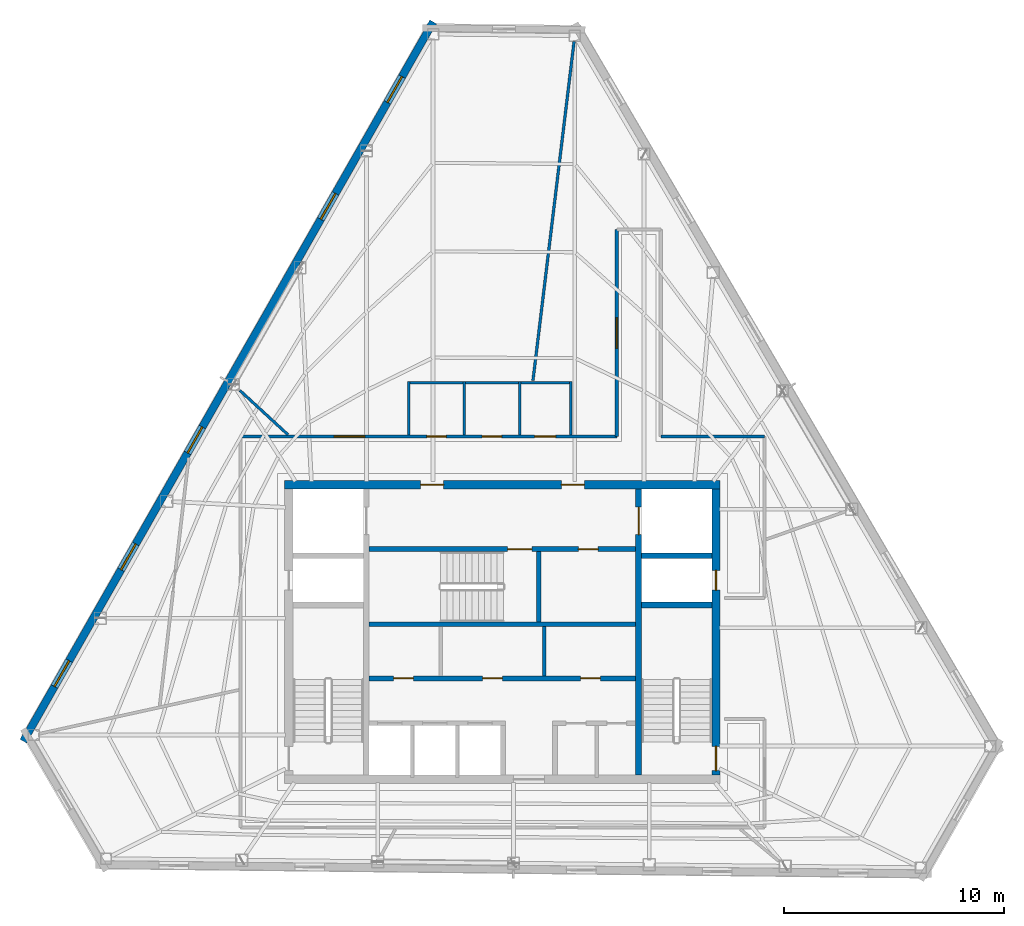
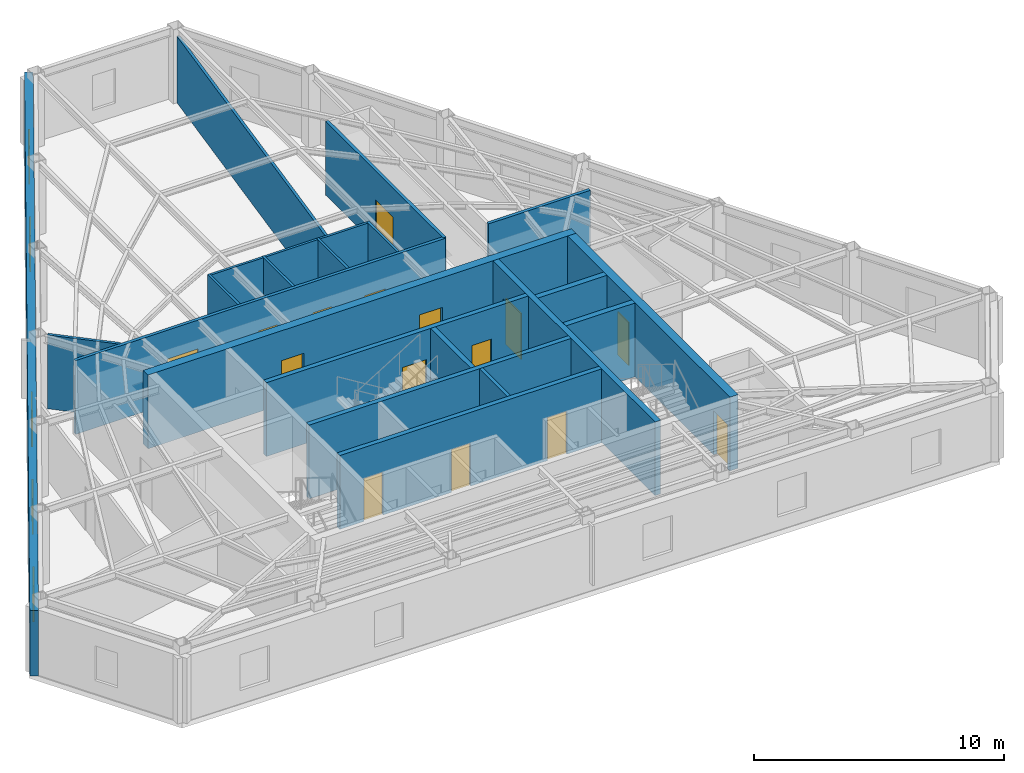
# One storey, part 8 of 10: 21 walls, 15 doors, 5 windows, 20 openings.
"""IFC4 building model written with IfcOpenShell, lengths in metres."""

from ifc_helpers import new_model, si_unit, direction, frame, frame_2d, origin, place, context, subcontext, project, spatial, rectangle, extrude, material, layer, layer_set, type_object, element, fill, save


model = new_model("IFC4")

# Units and contexts
model_context = context("Model", 3, precision=1e-05, world=origin(), true_north=direction((0.0, 1.0)))
body_context = subcontext(model_context, "Body", "Model", "MODEL_VIEW")
ifc_project = project(units=[si_unit("LENGTHUNIT", "METRE"), si_unit("AREAUNIT", "SQUARE_METRE"), si_unit("VOLUMEUNIT", "CUBIC_METRE"), si_unit("PLANEANGLEUNIT", "RADIAN"), si_unit("MASSUNIT", "GRAM", prefix="KILO")], contexts=[model_context])

# Site, building, storey
site_placement = place(None, origin())
site = spatial("IfcSite", under=ifc_project, at=site_placement, CompositionType="ELEMENT")
building_placement = place(site_placement, origin())
building = spatial("IfcBuilding", under=site, at=building_placement, Name="Kavelnor Concourse Tower", CompositionType="ELEMENT")
storey_placement = place(building_placement, frame((0.0, 0.0, 254.89990234375)))
storey = spatial("IfcBuildingStorey", under=building, at=storey_placement, Name="L64", CompositionType="ELEMENT", Elevation=254.89990234375)

# Wall, openings, doors
ifc_material_1 = material(Name="Concrete C50/60", Category="concrete")
ifc_layer_1 = layer(ifc_material_1, 0.3798828125, Name="Concrete C50/60")
ifc_layer_set_1 = layer_set([ifc_layer_1], Name="Concrete C50/60")
wall_type_1 = type_object("IfcWallType", Name="WL-CORE-Z4-380", PredefinedType="SOLIDWALL", material=ifc_layer_set_1)
wall_1_placement = place(storey_placement, frame((28.10009765625, 22.7900390625, 0.0), z_axis=(0.0, 0.0, 1.0), x_axis=(1.0, 0.0, 0.0)))
wall_1 = element("IfcWall", 1, at=wall_1_placement, inside=storey, type_object=wall_type_1, Name="L64 Central Core North Shear Wall", PredefinedType="SOLIDWALL", context=body_context, shape_type="SweptSolid", body=[
    extrude(rectangle(XDim=19.7998046875, YDim=0.3798828125, at=frame_2d((9.89990234375, 0.0))), origin(), (0.0, 0.0, 1.0), 3.610107421875),
])
opening_1_placement = place(wall_1_placement, frame((6.175048828125, 0.0, 0.0)))
opening_1 = element("IfcOpeningElement", 2, at=opening_1_placement, cuts=wall_1, Name="Opening FD-105", PredefinedType="OPENING", context=body_context, shape_type="SweptSolid", body=[
    extrude(rectangle(XDim=1.050048828125, YDim=2.14990234375, at=frame_2d((0.52490234375, 1.074951171875))), frame((0.0, 0.199951171875, 0.0), z_axis=(0.0, -1.0, 0.0), x_axis=(1.0, 0.0, 0.0)), (0.0, 0.0, 1.0), 0.39990234375),
])
opening_2_placement = place(wall_1_placement, frame((12.574951171875, 0.0, 0.0)))
opening_2 = element("IfcOpeningElement", 3, at=opening_2_placement, cuts=wall_1, Name="Opening FD-105", PredefinedType="OPENING", context=body_context, shape_type="SweptSolid", body=[
    extrude(rectangle(XDim=1.050048828125, YDim=2.14990234375, at=frame_2d((0.52490234375, 1.074951171875))), frame((0.0, 0.199951171875, 0.0), z_axis=(0.0, -1.0, 0.0), x_axis=(1.0, 0.0, 0.0)), (0.0, 0.0, 1.0), 0.39990234375),
])
ifc_material_2 = material(Name="Steel Grade 350", Category="steel")
door_type_1 = type_object("IfcDoorType", Name="DR-LOBBY-FIRE-1050", OperationType="NOTDEFINED", PredefinedType="DOOR", material=ifc_material_2)
door_1_placement = place(opening_1_placement, origin())
door_1 = element("IfcDoor", 4, at=door_1_placement, inside=storey, type_object=door_type_1, Name="L64 Emergency Lift Lobby West Door", OperationType="SINGLE_SWING_LEFT", OverallHeight=2.14990234375, OverallWidth=1.050048828125, PredefinedType="DOOR", context=body_context, shape_type="SweptSolid", body=[
    extrude(rectangle(XDim=1.050048828125, YDim=2.14990234375, at=frame_2d((0.52490234375, 1.074951171875))), frame((0.0, 0.02490234375, 0.0), z_axis=(0.0, -1.0, 0.0), x_axis=(1.0, 0.0, 0.0)), (0.0, 0.0, 1.0), 0.050048828125),
])
fill(opening_1, door_1)
door_2_placement = place(opening_2_placement, origin())
door_2 = element("IfcDoor", 5, at=door_2_placement, inside=storey, type_object=door_type_1, Name="L64 Emergency Lift Lobby East Door", OperationType="SINGLE_SWING_RIGHT", OverallHeight=2.14990234375, OverallWidth=1.050048828125, PredefinedType="DOOR", context=body_context, shape_type="SweptSolid", body=[
    extrude(rectangle(XDim=1.050048828125, YDim=2.14990234375, at=frame_2d((0.52490234375, 1.074951171875))), frame((0.0, 0.02490234375, 0.0), z_axis=(0.0, -1.0, 0.0), x_axis=(1.0, 0.0, 0.0)), (0.0, 0.0, 1.0), 0.050048828125),
])
fill(opening_2, door_2)

wall_2_placement = place(storey_placement, frame((47.7099609375, 9.60009765625, 0.0), z_axis=(0.0, 0.0, 1.0), x_axis=(0.0, 1.0, 0.0)))
wall_2 = element("IfcWall", 6, at=wall_2_placement, inside=storey, type_object=wall_type_1, Name="L64 Central Core East Shear Wall", PredefinedType="SOLIDWALL", context=body_context, shape_type="SweptSolid", body=[
    extrude(rectangle(XDim=13.0, YDim=0.3798828125, at=frame_2d((6.5, 0.0))), origin(), (0.0, 0.0, 1.0), 3.610107421875),
])
opening_3_placement = place(wall_2_placement, frame((0.199951171875, 0.0, 0.0)))
opening_3 = element("IfcOpeningElement", 7, at=opening_3_placement, cuts=wall_2, Name="Opening FD-110", PredefinedType="OPENING", context=body_context, shape_type="SweptSolid", body=[
    extrude(rectangle(XDim=1.10009765625, YDim=2.14990234375, at=frame_2d((0.550048828125, 1.074951171875))), frame((0.0, 0.199951171875, 0.0), z_axis=(0.0, -1.0, 0.0), x_axis=(1.0, 0.0, 0.0)), (0.0, 0.0, 1.0), 0.39990234375),
])
opening_4_placement = place(wall_2_placement, frame((8.39990234375, 0.0, 0.0)))
opening_4 = element("IfcOpeningElement", 8, at=opening_4_placement, cuts=wall_2, Name="Opening FD-090", PredefinedType="OPENING", context=body_context, shape_type="SweptSolid", body=[
    extrude(rectangle(XDim=0.89990234375, YDim=2.10009765625, at=frame_2d((0.449951171875, 1.050048828125))), frame((0.0, 0.199951171875, 0.0), z_axis=(0.0, -1.0, 0.0), x_axis=(1.0, 0.0, 0.0)), (0.0, 0.0, 1.0), 0.39990234375),
])
door_type_2 = type_object("IfcDoorType", Name="DR-RISER-FIRE-900", OperationType="NOTDEFINED", PredefinedType="DOOR", material=ifc_material_2)
door_3_placement = place(opening_4_placement, origin())
door_3 = element("IfcDoor", 9, at=door_3_placement, inside=storey, type_object=door_type_2, Name="L64 East Riser Access Door", OperationType="SINGLE_SWING_LEFT", OverallHeight=2.10009765625, OverallWidth=0.89990234375, PredefinedType="DOOR", context=body_context, shape_type="SweptSolid", body=[
    extrude(rectangle(XDim=0.89990234375, YDim=2.10009765625, at=frame_2d((0.449951171875, 1.050048828125))), frame((0.0, 0.02490234375, 0.0), z_axis=(0.0, -1.0, 0.0), x_axis=(1.0, 0.0, 0.0)), (0.0, 0.0, 1.0), 0.050048828125),
])
fill(opening_4, door_3)
door_type_3 = type_object("IfcDoorType", Name="DR-STAIR-FIRE-1100", OperationType="NOTDEFINED", PredefinedType="DOOR", material=ifc_material_2)
door_4_placement = place(opening_3_placement, origin())
door_4 = element("IfcDoor", 10, at=door_4_placement, inside=storey, type_object=door_type_3, Name="L64 Stair ST2 Fire Door", OperationType="SINGLE_SWING_RIGHT", OverallHeight=2.14990234375, OverallWidth=1.10009765625, PredefinedType="DOOR", context=body_context, shape_type="SweptSolid", body=[
    extrude(rectangle(XDim=1.10009765625, YDim=2.14990234375, at=frame_2d((0.550048828125, 1.074951171875))), frame((0.0, 0.02490234375, 0.0), z_axis=(0.0, -1.0, 0.0), x_axis=(1.0, 0.0, 0.0)), (0.0, 0.0, 1.0), 0.050048828125),
])
fill(opening_3, door_4)

# Wall, openings, windows
ifc_material_3 = material(Name="Red-ochre clay face brick masonry", Category="masonry")
ifc_layer_2 = layer(ifc_material_3, 0.35009765625, Name="Red-ochre clay face brick masonry")
ifc_layer_set_2 = layer_set([ifc_layer_2], Name="Red-ochre clay face brick masonry")
wall_type_2 = type_object("IfcWallType", Name="WL-EXT-RED-BRICK-PIER-350", PredefinedType="STANDARD", material=ifc_layer_set_2)
wall_3_placement = place(storey_placement, frame((16.214111328125, 11.135498046875, 0.0), z_axis=(0.0, 0.0, 1.0), x_axis=(0.49510347201, 0.868834018673, 0.0)))
wall_3 = element("IfcWall", 11, at=wall_3_placement, inside=storey, type_object=wall_type_2, Name="L64 Exterior Brick Facade Wall E1", PredefinedType="STANDARD", context=body_context, shape_type="SweptSolid", body=[
    extrude(rectangle(XDim=37.64306640625, YDim=0.35009765625, at=frame_2d((18.821533203125, 0.0))), origin(), (0.0, 0.0, 1.0), 3.196044921875),
])
opening_5_placement = place(wall_3_placement, frame((33.4287109375, 0.0, 0.64990234375)))
opening_5 = element("IfcOpeningElement", 12, at=opening_5_placement, cuts=wall_3, Name="Opening W-04", PredefinedType="OPENING", context=body_context, shape_type="SweptSolid", body=[
    extrude(rectangle(XDim=1.35009765625, YDim=1.75, at=frame_2d((0.675048828125, 0.875))), frame((0.0, 0.18505859375, 0.0), z_axis=(0.0, -1.0, 0.0), x_axis=(1.0, 0.0, 0.0)), (0.0, 0.0, 1.0), 0.3701171875),
])
opening_6_placement = place(wall_3_placement, frame((27.314697265625, 0.0, 0.64990234375)))
opening_6 = element("IfcOpeningElement", 13, at=opening_6_placement, cuts=wall_3, Name="Opening W-04", PredefinedType="OPENING", context=body_context, shape_type="SweptSolid", body=[
    extrude(rectangle(XDim=1.35009765625, YDim=1.75, at=frame_2d((0.675048828125, 0.875))), frame((0.0, 0.18505859375, 0.0), z_axis=(0.0, -1.0, 0.0), x_axis=(1.0, 0.0, 0.0)), (0.0, 0.0, 1.0), 0.3701171875),
])
opening_7_placement = place(wall_3_placement, frame((15.0869140625, 0.0, 0.64990234375)))
opening_7 = element("IfcOpeningElement", 14, at=opening_7_placement, cuts=wall_3, Name="Opening W-04", PredefinedType="OPENING", context=body_context, shape_type="SweptSolid", body=[
    extrude(rectangle(XDim=1.35009765625, YDim=1.75, at=frame_2d((0.675048828125, 0.875))), frame((0.0, 0.18505859375, 0.0), z_axis=(0.0, -1.0, 0.0), x_axis=(1.0, 0.0, 0.0)), (0.0, 0.0, 1.0), 0.3701171875),
])
opening_8_placement = place(wall_3_placement, frame((8.972900390625, 0.0, 0.64990234375)))
opening_8 = element("IfcOpeningElement", 15, at=opening_8_placement, cuts=wall_3, Name="Opening W-04", PredefinedType="OPENING", context=body_context, shape_type="SweptSolid", body=[
    extrude(rectangle(XDim=1.35009765625, YDim=1.75, at=frame_2d((0.675048828125, 0.875))), frame((0.0, 0.18505859375, 0.0), z_axis=(0.0, -1.0, 0.0), x_axis=(1.0, 0.0, 0.0)), (0.0, 0.0, 1.0), 0.3701171875),
])
opening_9_placement = place(wall_3_placement, frame((2.85888671875, 0.0, 0.64990234375)))
opening_9 = element("IfcOpeningElement", 16, at=opening_9_placement, cuts=wall_3, Name="Opening W-04", PredefinedType="OPENING", context=body_context, shape_type="SweptSolid", body=[
    extrude(rectangle(XDim=1.35009765625, YDim=1.75, at=frame_2d((0.675048828125, 0.875))), frame((0.0, 0.18505859375, 0.0), z_axis=(0.0, -1.0, 0.0), x_axis=(1.0, 0.0, 0.0)), (0.0, 0.0, 1.0), 0.3701171875),
])
ifc_material_4 = material(Name="Double low-E argon insulated glazing", Category="glass")
window_type = type_object("IfcWindowType", Name="WIN-PIER-Z4-1350", PartitioningType="SINGLE_PANEL", PredefinedType="WINDOW", material=ifc_material_4)
window_1_placement = place(opening_5_placement, origin())
window_1 = element("IfcWindow", 17, at=window_1_placement, inside=storey, type_object=window_type, Name="L64 Deep-Set Brick Pier Window F0-B0", OverallHeight=1.75, OverallWidth=1.35009765625, PartitioningType="SINGLE_PANEL", PredefinedType="WINDOW", context=body_context, shape_type="SweptSolid", body=[
    extrude(rectangle(XDim=1.35009765625, YDim=1.75, at=frame_2d((0.675048828125, 0.875))), frame((0.0, 0.030029296875, 0.0), z_axis=(0.0, -1.0, 0.0), x_axis=(1.0, 0.0, 0.0)), (0.0, 0.0, 1.0), 0.06005859375),
])
fill(opening_5, window_1)
window_2_placement = place(opening_6_placement, origin())
window_2 = element("IfcWindow", 18, at=window_2_placement, inside=storey, type_object=window_type, Name="L64 Deep-Set Brick Pier Window F0-B1", OverallHeight=1.75, OverallWidth=1.35009765625, PartitioningType="SINGLE_PANEL", PredefinedType="WINDOW", context=body_context, shape_type="SweptSolid", body=[
    extrude(rectangle(XDim=1.35009765625, YDim=1.75, at=frame_2d((0.675048828125, 0.875))), frame((0.0, 0.030029296875, 0.0), z_axis=(0.0, -1.0, 0.0), x_axis=(1.0, 0.0, 0.0)), (0.0, 0.0, 1.0), 0.06005859375),
])
fill(opening_6, window_2)
window_3_placement = place(opening_7_placement, origin())
window_3 = element("IfcWindow", 19, at=window_3_placement, inside=storey, type_object=window_type, Name="L64 Deep-Set Brick Pier Window F0-B3", OverallHeight=1.75, OverallWidth=1.35009765625, PartitioningType="SINGLE_PANEL", PredefinedType="WINDOW", context=body_context, shape_type="SweptSolid", body=[
    extrude(rectangle(XDim=1.35009765625, YDim=1.75, at=frame_2d((0.675048828125, 0.875))), frame((0.0, 0.030029296875, 0.0), z_axis=(0.0, -1.0, 0.0), x_axis=(1.0, 0.0, 0.0)), (0.0, 0.0, 1.0), 0.06005859375),
])
fill(opening_7, window_3)
window_4_placement = place(opening_8_placement, origin())
window_4 = element("IfcWindow", 20, at=window_4_placement, inside=storey, type_object=window_type, Name="L64 Deep-Set Brick Pier Window F0-B4", OverallHeight=1.75, OverallWidth=1.35009765625, PartitioningType="SINGLE_PANEL", PredefinedType="WINDOW", context=body_context, shape_type="SweptSolid", body=[
    extrude(rectangle(XDim=1.35009765625, YDim=1.75, at=frame_2d((0.675048828125, 0.875))), frame((0.0, 0.030029296875, 0.0), z_axis=(0.0, -1.0, 0.0), x_axis=(1.0, 0.0, 0.0)), (0.0, 0.0, 1.0), 0.06005859375),
])
fill(opening_8, window_4)
window_5_placement = place(opening_9_placement, origin())
window_5 = element("IfcWindow", 21, at=window_5_placement, inside=storey, type_object=window_type, Name="L64 Deep-Set Brick Pier Window F0-B5", OverallHeight=1.75, OverallWidth=1.35009765625, PartitioningType="SINGLE_PANEL", PredefinedType="WINDOW", context=body_context, shape_type="SweptSolid", body=[
    extrude(rectangle(XDim=1.35009765625, YDim=1.75, at=frame_2d((0.675048828125, 0.875))), frame((0.0, 0.030029296875, 0.0), z_axis=(0.0, -1.0, 0.0), x_axis=(1.0, 0.0, 0.0)), (0.0, 0.0, 1.0), 0.06005859375),
])
fill(opening_9, window_5)

# Wall, opening, door
ifc_material_5 = material(Name="Gypsum plasterboard on light-gauge steel studs", Category="steel")
ifc_layer_3 = layer(ifc_material_5, 0.14501953125, Name="Gypsum plasterboard on light-gauge steel studs")
ifc_layer_set_3 = layer_set([ifc_layer_3], Name="Gypsum plasterboard on light-gauge steel studs")
wall_type_3 = type_object("IfcWallType", Name="WL-INT-CORR-145", PredefinedType="PARTITIONING", material=ifc_layer_set_3)
wall_4_placement = place(storey_placement, frame((43.199951171875, 24.989990234375, 0.0), z_axis=(0.0, 0.0, 1.0), x_axis=(0.0, 1.0, 0.0)))
wall_4 = element("IfcWall", 22, at=wall_4_placement, inside=storey, type_object=wall_type_3, Name="L64 Corridor Wall WL-L64-CR-01", PredefinedType="PARTITIONING", context=body_context, shape_type="SweptSolid", body=[
    extrude(rectangle(XDim=9.409912109375, YDim=0.14501953125, at=frame_2d((4.705078125, 0.0))), origin(), (0.0, 0.0, 1.0), 3.610107421875),
])
opening_10_placement = place(wall_4_placement, frame((4.0048828125, 0.0, 0.0)))
opening_10 = element("IfcOpeningElement", 23, at=opening_10_placement, cuts=wall_4, Name="Opening SD-140", PredefinedType="OPENING", context=body_context, shape_type="SweptSolid", body=[
    extrude(rectangle(XDim=1.39990234375, YDim=2.199951171875, at=frame_2d((0.699951171875, 1.10009765625))), frame((0.0, 0.08251953125, 0.0), z_axis=(0.0, -1.0, 0.0), x_axis=(1.0, 0.0, 0.0)), (0.0, 0.0, 1.0), 0.1650390625),
])
ifc_material_6 = material(Name="Solid-core hardwood timber", Category="wood")
door_type_4 = type_object("IfcDoorType", Name="DR-SUITE-ENTRY-1400", OperationType="NOTDEFINED", PredefinedType="DOOR", material=ifc_material_6)
door_5_placement = place(opening_10_placement, origin())
door_5 = element("IfcDoor", 24, at=door_5_placement, inside=storey, type_object=door_type_4, Name="L64 Staff Breakout Pantry 01 Door", OperationType="SINGLE_SWING_RIGHT", OverallHeight=2.199951171875, OverallWidth=1.39990234375, PredefinedType="DOOR", context=body_context, shape_type="SweptSolid", body=[
    extrude(rectangle(XDim=1.39990234375, YDim=2.199951171875, at=frame_2d((0.699951171875, 1.10009765625))), frame((0.0, 0.02490234375, 0.0), z_axis=(0.0, -1.0, 0.0), x_axis=(1.0, 0.0, 0.0)), (0.0, 0.0, 1.0), 0.050048828125),
])
fill(opening_10, door_5)

# Wall
wall_5_placement = place(storey_placement, frame((45.199951171875, 24.989990234375, 0.0), z_axis=(0.0, 0.0, 1.0), x_axis=(1.0, 0.0, 0.0)))
element("IfcWall", 25, at=wall_5_placement, inside=storey, type_object=wall_type_3, Name="L64 Corridor Wall WL-L64-CR-04", PredefinedType="PARTITIONING", context=body_context, shape_type="SweptSolid", body=[
    extrude(rectangle(XDim=4.7099609375, YDim=0.14501953125, at=frame_2d((2.35498046875, 0.0))), origin(), (0.0, 0.0, 1.0), 3.610107421875),
])

# Wall, openings, doors
wall_6_placement = place(storey_placement, frame((26.090087890625, 24.989990234375, 0.0), z_axis=(0.0, 0.0, 1.0), x_axis=(1.0, 0.0, 0.0)))
wall_6 = element("IfcWall", 26, at=wall_6_placement, inside=storey, type_object=wall_type_3, Name="L64 Corridor Wall WL-L64-CR-11", PredefinedType="PARTITIONING", context=body_context, shape_type="SweptSolid", body=[
    extrude(rectangle(XDim=17.10986328125, YDim=0.14501953125, at=frame_2d((8.554931640625, 0.0))), origin(), (0.0, 0.0, 1.0), 3.610107421875),
])
opening_11_placement = place(wall_6_placement, frame((8.469970703125, 0.0, 0.0)))
opening_11 = element("IfcOpeningElement", 27, at=opening_11_placement, cuts=wall_6, Name="Opening WD-088", PredefinedType="OPENING", context=body_context, shape_type="SweptSolid", body=[
    extrude(rectangle(XDim=0.8798828125, YDim=2.10009765625, at=frame_2d((0.43994140625, 1.050048828125))), frame((0.0, 0.08251953125, 0.0), z_axis=(0.0, -1.0, 0.0), x_axis=(1.0, 0.0, 0.0)), (0.0, 0.0, 1.0), 0.1650390625),
])
opening_12_placement = place(wall_6_placement, frame((10.989990234375, 0.0, 0.0)))
opening_12 = element("IfcOpeningElement", 28, at=opening_12_placement, cuts=wall_6, Name="Opening WD-088", PredefinedType="OPENING", context=body_context, shape_type="SweptSolid", body=[
    extrude(rectangle(XDim=0.8798828125, YDim=2.10009765625, at=frame_2d((0.43994140625, 1.050048828125))), frame((0.0, 0.08251953125, 0.0), z_axis=(0.0, -1.0, 0.0), x_axis=(1.0, 0.0, 0.0)), (0.0, 0.0, 1.0), 0.1650390625),
])
opening_13_placement = place(wall_6_placement, frame((13.3701171875, 0.0, 0.0)))
opening_13 = element("IfcOpeningElement", 29, at=opening_13_placement, cuts=wall_6, Name="Opening WD-096", PredefinedType="OPENING", context=body_context, shape_type="SweptSolid", body=[
    extrude(rectangle(XDim=0.9599609375, YDim=2.10009765625, at=frame_2d((0.47998046875, 1.050048828125))), frame((0.0, 0.08251953125, 0.0), z_axis=(0.0, -1.0, 0.0), x_axis=(1.0, 0.0, 0.0)), (0.0, 0.0, 1.0), 0.1650390625),
])
opening_14_placement = place(wall_6_placement, frame((4.257080078125, 0.0, 0.0)))
opening_14 = element("IfcOpeningElement", 30, at=opening_14_placement, cuts=wall_6, Name="Opening SD-140", PredefinedType="OPENING", context=body_context, shape_type="SweptSolid", body=[
    extrude(rectangle(XDim=1.39990234375, YDim=2.199951171875, at=frame_2d((0.699951171875, 1.10009765625))), frame((0.0, 0.08251953125, 0.0), z_axis=(0.0, -1.0, 0.0), x_axis=(1.0, 0.0, 0.0)), (0.0, 0.0, 1.0), 0.1650390625),
])
door_6_placement = place(opening_14_placement, origin())
door_6 = element("IfcDoor", 31, at=door_6_placement, inside=storey, type_object=door_type_4, Name="L64 Client Concierge 02 Door", OperationType="SINGLE_SWING_LEFT", OverallHeight=2.199951171875, OverallWidth=1.39990234375, PredefinedType="DOOR", context=body_context, shape_type="SweptSolid", body=[
    extrude(rectangle(XDim=1.39990234375, YDim=2.199951171875, at=frame_2d((0.699951171875, 1.10009765625))), frame((0.0, 0.02490234375, 0.0), z_axis=(0.0, -1.0, 0.0), x_axis=(1.0, 0.0, 0.0)), (0.0, 0.0, 1.0), 0.050048828125),
])
fill(opening_14, door_6)
door_type_5 = type_object("IfcDoorType", Name="DR-WC-ACC-960", OperationType="NOTDEFINED", PredefinedType="DOOR", material=ifc_material_6)
door_7_placement = place(opening_13_placement, origin())
door_7 = element("IfcDoor", 32, at=door_7_placement, inside=storey, type_object=door_type_5, Name="L64 Accessible WC Door", OperationType="SINGLE_SWING_RIGHT", OverallHeight=2.10009765625, OverallWidth=0.9599609375, PredefinedType="DOOR", context=body_context, shape_type="SweptSolid", body=[
    extrude(rectangle(XDim=0.9599609375, YDim=2.10009765625, at=frame_2d((0.47998046875, 1.050048828125))), frame((0.0, 0.02490234375, 0.0), z_axis=(0.0, -1.0, 0.0), x_axis=(1.0, 0.0, 0.0)), (0.0, 0.0, 1.0), 0.050048828125),
])
fill(opening_13, door_7)
door_type_6 = type_object("IfcDoorType", Name="DR-WC-STD-880", OperationType="NOTDEFINED", PredefinedType="DOOR", material=ifc_material_6)
door_8_placement = place(opening_11_placement, origin())
door_8 = element("IfcDoor", 33, at=door_8_placement, inside=storey, type_object=door_type_6, Name="L64 Male WC Door", OperationType="SINGLE_SWING_RIGHT", OverallHeight=2.10009765625, OverallWidth=0.8798828125, PredefinedType="DOOR", context=body_context, shape_type="SweptSolid", body=[
    extrude(rectangle(XDim=0.8798828125, YDim=2.10009765625, at=frame_2d((0.43994140625, 1.050048828125))), frame((0.0, 0.02490234375, 0.0), z_axis=(0.0, -1.0, 0.0), x_axis=(1.0, 0.0, 0.0)), (0.0, 0.0, 1.0), 0.050048828125),
])
fill(opening_11, door_8)
door_9_placement = place(opening_12_placement, origin())
door_9 = element("IfcDoor", 34, at=door_9_placement, inside=storey, type_object=door_type_6, Name="L64 Female WC Door", OperationType="SINGLE_SWING_LEFT", OverallHeight=2.10009765625, OverallWidth=0.8798828125, PredefinedType="DOOR", context=body_context, shape_type="SweptSolid", body=[
    extrude(rectangle(XDim=0.8798828125, YDim=2.10009765625, at=frame_2d((0.43994140625, 1.050048828125))), frame((0.0, 0.02490234375, 0.0), z_axis=(0.0, -1.0, 0.0), x_axis=(1.0, 0.0, 0.0)), (0.0, 0.0, 1.0), 0.050048828125),
])
fill(opening_12, door_9)

# Walls
ifc_layer_4 = layer(ifc_material_5, 0.1650390625, Name="Gypsum plasterboard on light-gauge steel studs")
ifc_layer_set_4 = layer_set([ifc_layer_4], Name="Gypsum plasterboard on light-gauge steel studs")
wall_type_4 = type_object("IfcWallType", Name="WL-INT-FIRE-165", PredefinedType="PARTITIONING", material=ifc_layer_set_4)
wall_7_placement = place(storey_placement, frame((39.89990234375, 14.10009765625, 0.0), z_axis=(0.0, 0.0, 1.0), x_axis=(0.0, 1.0, 0.0)))
element("IfcWall", 35, at=wall_7_placement, inside=storey, type_object=wall_type_4, Name="L64 Reclaimed Core Partition B", PredefinedType="PARTITIONING", context=body_context, shape_type="SweptSolid", body=[
    extrude(rectangle(XDim=2.239990234375, YDim=0.1650390625, at=frame_2d((1.1201171875, 0.0))), origin(), (0.0, 0.0, 1.0), 3.610107421875),
])
ifc_layer_5 = layer(ifc_material_5, 0.125, Name="Gypsum plasterboard on light-gauge steel studs")
ifc_layer_set_5 = layer_set([ifc_layer_5], Name="Gypsum plasterboard on light-gauge steel studs")
wall_type_5 = type_object("IfcWallType", Name="WL-INT-SUITE-125", PredefinedType="PARTITIONING", material=ifc_layer_set_5)
wall_8_placement = place(storey_placement, frame((39.387451171875, 27.5400390625, 0.0), z_axis=(0.0, 0.0, 1.0), x_axis=(0.12041169592, 0.99272404196, 0.0)))
element("IfcWall", 36, at=wall_8_placement, inside=storey, type_object=wall_type_5, Name="L64 Radial Suite Partition 02", PredefinedType="PARTITIONING", context=body_context, shape_type="SweptSolid", body=[
    extrude(rectangle(XDim=15.52099609375, YDim=0.125, at=frame_2d((7.760498046875, 0.0))), origin(), (0.0, 0.0, 1.0), 3.24609375),
])
wall_9_placement = place(storey_placement, frame((28.246826171875, 25.070556640625, 0.0), z_axis=(0.0, 0.0, 1.0), x_axis=(-0.736030630255, 0.67694823386, 0.0)))
element("IfcWall", 37, at=wall_9_placement, inside=storey, type_object=wall_type_5, Name="L64 Radial Suite Partition 03", PredefinedType="PARTITIONING", context=body_context, shape_type="SweptSolid", body=[
    extrude(rectangle(XDim=2.979248046875, YDim=0.125, at=frame_2d((1.48974609375, 0.0))), origin(), (0.0, 0.0, 1.0), 3.610107421875),
])
ifc_layer_6 = layer(ifc_material_5, 0.110107421875, Name="Gypsum plasterboard on light-gauge steel studs")
ifc_layer_set_6 = layer_set([ifc_layer_6], Name="Gypsum plasterboard on light-gauge steel studs")
wall_type_6 = type_object("IfcWallType", Name="WL-INT-WC-110", PredefinedType="PLUMBINGWALL", material=ifc_layer_set_6)
for number, where, z_axis, x_axis, name in (
    (38, (33.739990234375, 25.06005859375, 0.0), (0.0, 0.0, 1.0), (0.0, 1.0, 0.0), "L64 Sanitary Partition WL-L64-WC-W"),
    (39, (36.260009765625, 25.06005859375, 0.0), (0.0, 0.0, 1.0), (0.0, 1.0, 0.0), "L64 Sanitary Partition WL-L64-WC-D1"),
    (40, (38.780029296875, 25.06005859375, 0.0), (0.0, 0.0, 1.0), (0.0, 1.0, 0.0), "L64 Sanitary Partition WL-L64-WC-D2"),
    (41, (41.10009765625, 25.06005859375, 0.0), (0.0, 0.0, 1.0), (0.0, 1.0, 0.0), "L64 Sanitary Partition WL-L64-WC-E"),
):
    element("IfcWall", number, at=place(storey_placement, frame(where, z_axis=z_axis, x_axis=x_axis)), inside=storey, type_object=wall_type_6, Name=name, PredefinedType="PLUMBINGWALL", context=body_context, shape_type="SweptSolid", body=[
        extrude(rectangle(XDim=2.43994140625, YDim=0.110107421875, at=frame_2d((1.219970703125, 0.0))), origin(), (0.0, 0.0, 1.0), 3.610107421875),
    ])
wall_10_placement = place(storey_placement, frame((33.68994140625, 27.43994140625, 0.0), z_axis=(0.0, 0.0, 1.0), x_axis=(1.0, 0.0, 0.0)))
element("IfcWall", 42, at=wall_10_placement, inside=storey, type_object=wall_type_6, Name="L64 Sanitary Partition WL-L64-WC-N", PredefinedType="PLUMBINGWALL", context=body_context, shape_type="SweptSolid", body=[
    extrude(rectangle(XDim=7.4599609375, YDim=0.110107421875, at=frame_2d((3.72998046875, 0.0))), origin(), (0.0, 0.0, 1.0), 3.610107421875),
])

# Wall, openings, doors
ifc_layer_7 = layer(ifc_material_1, 0.219970703125, Name="Concrete C50/60")
ifc_layer_set_7 = layer_set([ifc_layer_7], Name="Concrete C50/60")
wall_type_7 = type_object("IfcWallType", Name="WL-SHAFT-220", PredefinedType="SOLIDWALL", material=ifc_layer_set_7)
wall_11_placement = place(storey_placement, frame((31.93994140625, 19.8701171875, 0.0), z_axis=(0.0, 0.0, 1.0), x_axis=(1.0, 0.0, 0.0)))
wall_11 = element("IfcWall", 43, at=wall_11_placement, inside=storey, type_object=wall_type_7, Name="L64 Emergency Lift Lobby South Wall", PredefinedType="SOLIDWALL", context=body_context, shape_type="SweptSolid", body=[
    extrude(rectangle(XDim=12.1201171875, YDim=0.219970703125, at=frame_2d((6.06005859375, 0.0))), origin(), (0.0, 0.0, 1.0), 3.610107421875),
])
opening_15_placement = place(wall_11_placement, frame((6.300048828125, 0.0, 0.0)))
opening_15 = element("IfcOpeningElement", 44, at=opening_15_placement, cuts=wall_11, Name="Opening FD-110", PredefinedType="OPENING", context=body_context, shape_type="SweptSolid", body=[
    extrude(rectangle(XDim=1.10009765625, YDim=2.14990234375, at=frame_2d((0.550048828125, 1.074951171875))), frame((0.0, 0.1201171875, 0.0), z_axis=(0.0, -1.0, 0.0), x_axis=(1.0, 0.0, 0.0)), (0.0, 0.0, 1.0), 0.239990234375),
])
opening_16_placement = place(wall_11_placement, frame((9.510009765625, 0.0, 0.0)))
opening_16 = element("IfcOpeningElement", 45, at=opening_16_placement, cuts=wall_11, Name="Opening FD-090", PredefinedType="OPENING", context=body_context, shape_type="SweptSolid", body=[
    extrude(rectangle(XDim=0.89990234375, YDim=2.10009765625, at=frame_2d((0.449951171875, 1.050048828125))), frame((0.0, 0.1201171875, 0.0), z_axis=(0.0, -1.0, 0.0), x_axis=(1.0, 0.0, 0.0)), (0.0, 0.0, 1.0), 0.239990234375),
])
door_10_placement = place(opening_16_placement, origin())
door_10 = element("IfcDoor", 46, at=door_10_placement, inside=storey, type_object=door_type_2, Name="L64 Electrical Comms Door", OperationType="SINGLE_SWING_LEFT", OverallHeight=2.10009765625, OverallWidth=0.89990234375, PredefinedType="DOOR", context=body_context, shape_type="SweptSolid", body=[
    extrude(rectangle(XDim=0.89990234375, YDim=2.10009765625, at=frame_2d((0.449951171875, 1.050048828125))), frame((0.0, 0.02490234375, 0.0), z_axis=(0.0, -1.0, 0.0), x_axis=(1.0, 0.0, 0.0)), (0.0, 0.0, 1.0), 0.050048828125),
])
fill(opening_16, door_10)
door_11_placement = place(opening_15_placement, origin())
door_11 = element("IfcDoor", 47, at=door_11_placement, inside=storey, type_object=door_type_3, Name="L64 Stair ST3 Fire Door", OperationType="SINGLE_SWING_LEFT", OverallHeight=2.14990234375, OverallWidth=1.10009765625, PredefinedType="DOOR", context=body_context, shape_type="SweptSolid", body=[
    extrude(rectangle(XDim=1.10009765625, YDim=2.14990234375, at=frame_2d((0.550048828125, 1.074951171875))), frame((0.0, 0.02490234375, 0.0), z_axis=(0.0, -1.0, 0.0), x_axis=(1.0, 0.0, 0.0)), (0.0, 0.0, 1.0), 0.050048828125),
])
fill(opening_15, door_11)

# Walls
wall_12_placement = place(storey_placement, frame((31.93994140625, 16.449951171875, 0.0), z_axis=(0.0, 0.0, 1.0), x_axis=(1.0, 0.0, 0.0)))
element("IfcWall", 48, at=wall_12_placement, inside=storey, type_object=wall_type_7, Name="L64 Stair ST3 South Core Wall", PredefinedType="SOLIDWALL", context=body_context, shape_type="SweptSolid", body=[
    extrude(rectangle(XDim=12.1201171875, YDim=0.219970703125, at=frame_2d((6.06005859375, 0.0))), origin(), (0.0, 0.0, 1.0), 3.610107421875),
])
wall_13_placement = place(storey_placement, frame((39.64990234375, 16.56005859375, 0.0), z_axis=(0.0, 0.0, 1.0), x_axis=(0.0, 1.0, 0.0)))
element("IfcWall", 49, at=wall_13_placement, inside=storey, type_object=wall_type_7, Name="L64 Stair ST3 East Core Wall", PredefinedType="SOLIDWALL", context=body_context, shape_type="SweptSolid", body=[
    extrude(rectangle(XDim=3.199951171875, YDim=0.219970703125, at=frame_2d((1.60009765625, 0.0))), origin(), (0.0, 0.0, 1.0), 3.610107421875),
])

# Wall, openings, doors
wall_14_placement = place(storey_placement, frame((31.93994140625, 13.989990234375, 0.0), z_axis=(0.0, 0.0, 1.0), x_axis=(1.0, 0.0, 0.0)))
wall_14 = element("IfcWall", 50, at=wall_14_placement, inside=storey, type_object=wall_type_7, Name="L64 North Lift Row Shaft Wall", PredefinedType="SOLIDWALL", context=body_context, shape_type="SweptSolid", body=[
    extrude(rectangle(XDim=12.1201171875, YDim=0.219970703125, at=frame_2d((6.06005859375, 0.0))), origin(), (0.0, 0.0, 1.0), 3.610107421875),
])
opening_17_placement = place(wall_14_placement, frame((1.110107421875, 0.0, 0.0)))
opening_17 = element("IfcOpeningElement", 51, at=opening_17_placement, cuts=wall_14, Name="Opening FD-090", PredefinedType="OPENING", context=body_context, shape_type="SweptSolid", body=[
    extrude(rectangle(XDim=0.89990234375, YDim=2.10009765625, at=frame_2d((0.449951171875, 1.050048828125))), frame((0.0, 0.1201171875, 0.0), z_axis=(0.0, -1.0, 0.0), x_axis=(1.0, 0.0, 0.0)), (0.0, 0.0, 1.0), 0.239990234375),
])
opening_18_placement = place(wall_14_placement, frame((5.159912109375, 0.0, 0.0)))
opening_18 = element("IfcOpeningElement", 52, at=opening_18_placement, cuts=wall_14, Name="Opening FD-090", PredefinedType="OPENING", context=body_context, shape_type="SweptSolid", body=[
    extrude(rectangle(XDim=0.89990234375, YDim=2.10009765625, at=frame_2d((0.449951171875, 1.050048828125))), frame((0.0, 0.1201171875, 0.0), z_axis=(0.0, -1.0, 0.0), x_axis=(1.0, 0.0, 0.0)), (0.0, 0.0, 1.0), 0.239990234375),
])
opening_19_placement = place(wall_14_placement, frame((9.610107421875, 0.0, 0.0)))
opening_19 = element("IfcOpeningElement", 53, at=opening_19_placement, cuts=wall_14, Name="Opening FD-090", PredefinedType="OPENING", context=body_context, shape_type="SweptSolid", body=[
    extrude(rectangle(XDim=0.89990234375, YDim=2.10009765625, at=frame_2d((0.449951171875, 1.050048828125))), frame((0.0, 0.1201171875, 0.0), z_axis=(0.0, -1.0, 0.0), x_axis=(1.0, 0.0, 0.0)), (0.0, 0.0, 1.0), 0.239990234375),
])
door_12_placement = place(opening_17_placement, origin())
door_12 = element("IfcDoor", 54, at=door_12_placement, inside=storey, type_object=door_type_2, Name="L64 Reclaimed Core Door A", OperationType="SINGLE_SWING_RIGHT", OverallHeight=2.10009765625, OverallWidth=0.89990234375, PredefinedType="DOOR", context=body_context, shape_type="SweptSolid", body=[
    extrude(rectangle(XDim=0.89990234375, YDim=2.10009765625, at=frame_2d((0.449951171875, 1.050048828125))), frame((0.0, 0.02490234375, 0.0), z_axis=(0.0, -1.0, 0.0), x_axis=(1.0, 0.0, 0.0)), (0.0, 0.0, 1.0), 0.050048828125),
])
fill(opening_17, door_12)
door_13_placement = place(opening_18_placement, origin())
door_13 = element("IfcDoor", 55, at=door_13_placement, inside=storey, type_object=door_type_2, Name="L64 Reclaimed Core Door B", OperationType="SINGLE_SWING_LEFT", OverallHeight=2.10009765625, OverallWidth=0.89990234375, PredefinedType="DOOR", context=body_context, shape_type="SweptSolid", body=[
    extrude(rectangle(XDim=0.89990234375, YDim=2.10009765625, at=frame_2d((0.449951171875, 1.050048828125))), frame((0.0, 0.02490234375, 0.0), z_axis=(0.0, -1.0, 0.0), x_axis=(1.0, 0.0, 0.0)), (0.0, 0.0, 1.0), 0.050048828125),
])
fill(opening_18, door_13)
door_14_placement = place(opening_19_placement, origin())
door_14 = element("IfcDoor", 56, at=door_14_placement, inside=storey, type_object=door_type_2, Name="L64 Reclaimed Core Door C", OperationType="SINGLE_SWING_RIGHT", OverallHeight=2.10009765625, OverallWidth=0.89990234375, PredefinedType="DOOR", context=body_context, shape_type="SweptSolid", body=[
    extrude(rectangle(XDim=0.89990234375, YDim=2.10009765625, at=frame_2d((0.449951171875, 1.050048828125))), frame((0.0, 0.02490234375, 0.0), z_axis=(0.0, -1.0, 0.0), x_axis=(1.0, 0.0, 0.0)), (0.0, 0.0, 1.0), 0.050048828125),
])
fill(opening_19, door_14)

# Wall, opening, door
ifc_layer_8 = layer(ifc_material_1, 0.260009765625, Name="Concrete C50/60")
ifc_layer_set_8 = layer_set([ifc_layer_8], Name="Concrete C50/60")
wall_type_8 = type_object("IfcWallType", Name="WL-SHAFT-260", PredefinedType="SHEAR", material=ifc_layer_set_8)
wall_15_placement = place(storey_placement, frame((44.18994140625, 9.60009765625, 0.0), z_axis=(0.0, 0.0, 1.0), x_axis=(0.0, 1.0, 0.0)))
wall_15 = element("IfcWall", 57, at=wall_15_placement, inside=storey, type_object=wall_type_8, Name="L64 Core East Wing Shear Wall", PredefinedType="SHEAR", context=body_context, shape_type="SweptSolid", body=[
    extrude(rectangle(XDim=13.0, YDim=0.260009765625, at=frame_2d((6.5, 0.0))), origin(), (0.0, 0.0, 1.0), 3.610107421875),
])
opening_20_placement = place(wall_15_placement, frame((10.925048828125, 0.0, 0.0)))
opening_20 = element("IfcOpeningElement", 58, at=opening_20_placement, cuts=wall_15, Name="Opening LD-125", PredefinedType="OPENING", context=body_context, shape_type="SweptSolid", body=[
    extrude(rectangle(XDim=1.25, YDim=2.25, at=frame_2d((0.625, 1.125))), frame((0.0, 0.14013671875, 0.0), z_axis=(0.0, -1.0, 0.0), x_axis=(1.0, 0.0, 0.0)), (0.0, 0.0, 1.0), 0.280029296875),
])
door_type_7 = type_object("IfcDoorType", Name="DR-LIFT-SLIDING-1250", OperationType="NOTDEFINED", PredefinedType="DOOR", material=ifc_material_2)
door_15_placement = place(opening_20_placement, origin())
door_15 = element("IfcDoor", 59, at=door_15_placement, inside=storey, type_object=door_type_7, Name="L64 Emergency Lift FL2 Landing Door", OperationType="DOUBLE_DOOR_SLIDING", OverallHeight=2.25, OverallWidth=1.25, PredefinedType="DOOR", context=body_context, shape_type="SweptSolid", body=[
    extrude(rectangle(XDim=1.25, YDim=2.25, at=frame_2d((0.625, 1.125))), frame((0.0, 0.02490234375, 0.0), z_axis=(0.0, -1.0, 0.0), x_axis=(1.0, 0.0, 0.0)), (0.0, 0.0, 1.0), 0.050048828125),
])
fill(opening_20, door_15)

# Walls
for number, where, z_axis, x_axis, name in (
    (60, (44.320068359375, 17.330078125, 0.0), (0.0, 0.0, 1.0), (1.0, 0.0, 0.0), "L64 Stair ST2 North Shaft Wall"),
    (61, (44.320068359375, 19.570068359375, 0.0), (0.0, 0.0, 1.0), (1.0, 0.0, 0.0), "L64 Emergency Lift FL2 South Shaft Wall"),
):
    element("IfcWall", number, at=place(storey_placement, frame(where, z_axis=z_axis, x_axis=x_axis)), inside=storey, type_object=wall_type_8, Name=name, PredefinedType="SHEAR", context=body_context, shape_type="SweptSolid", body=[
        extrude(rectangle(XDim=3.199951171875, YDim=0.260009765625, at=frame_2d((1.60009765625, 0.0))), origin(), (0.0, 0.0, 1.0), 3.610107421875),
    ])

save(model, "model.ifc")
